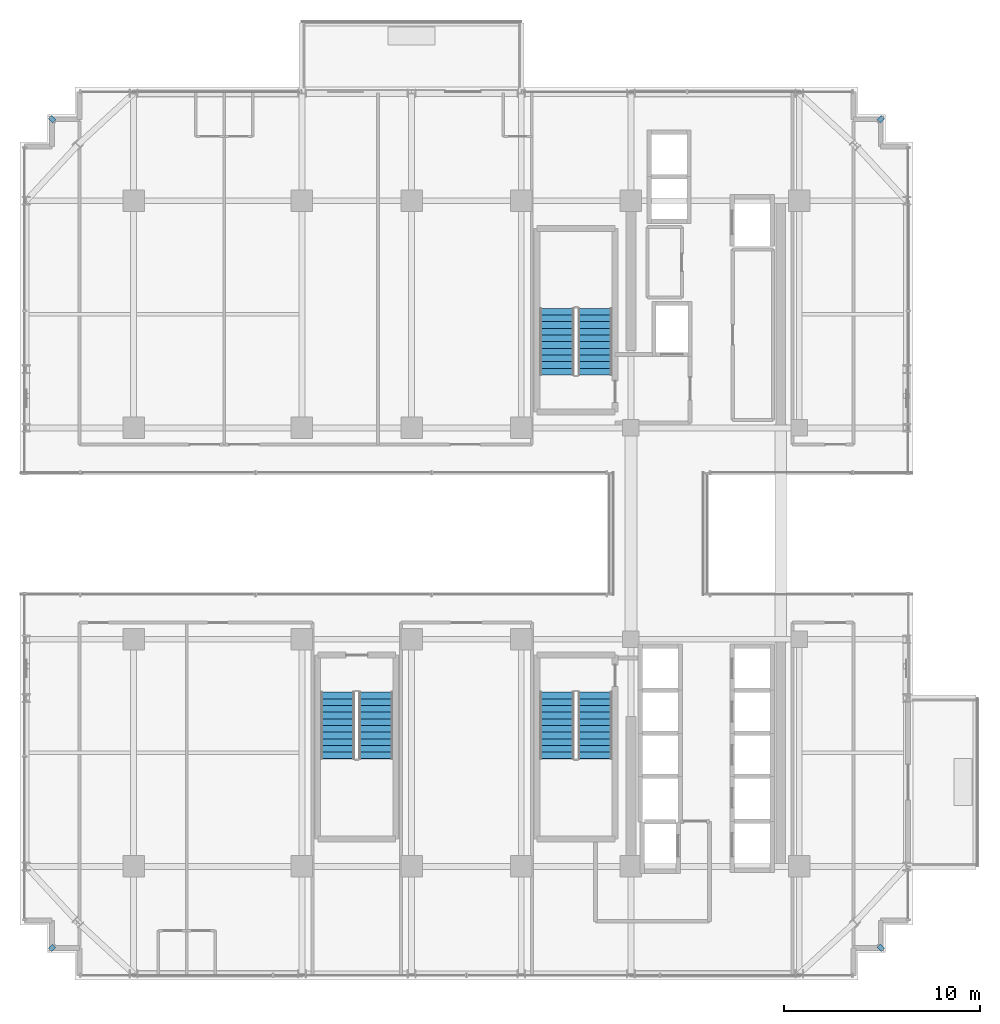
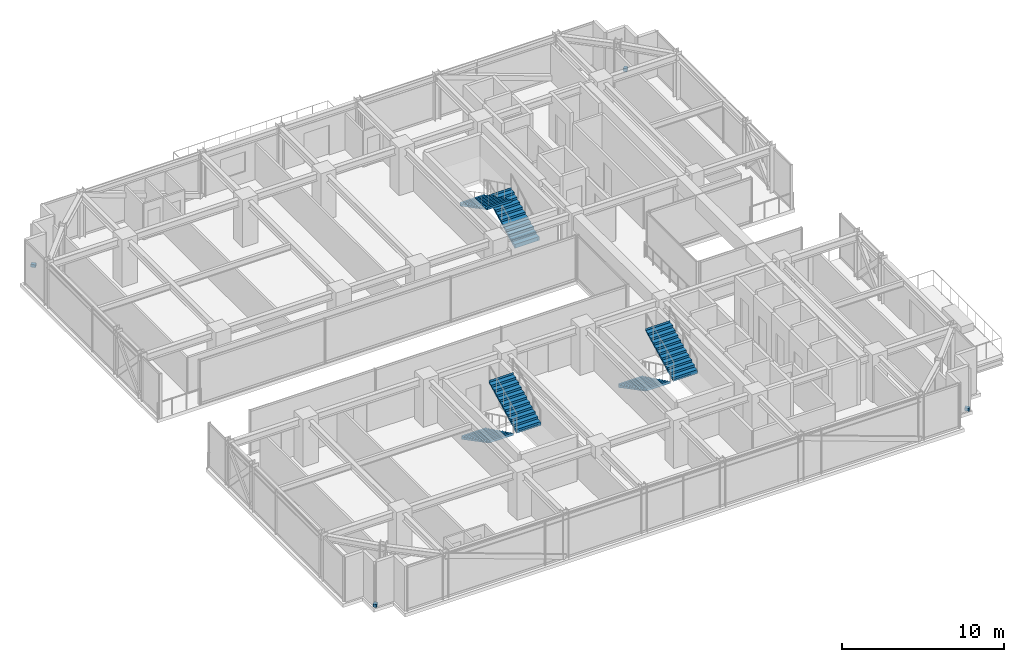
# One storey, part 37 of 41: 6 stair flights, 4 discrete accessories, 3 elements without a shape of their own.
"""IFC4 building model written with IfcOpenShell, lengths in metres."""

from ifc_helpers import new_model, si_unit, direction, frame, origin, origin_2d, place, context, subcontext, project, spatial, polyline, rectangle, outline, extrude, source, transform, mapped, material, layer, layer_set, type_object, element, aggregate, save


model = new_model("IFC4")

# Units and contexts
model_context = context("Model", 3, precision=1e-05, world=origin(), true_north=direction((0.0, 1.0)))
body_context = subcontext(model_context, "Body", "Model", "MODEL_VIEW")
ifc_project = project(units=[si_unit("LENGTHUNIT", "METRE"), si_unit("AREAUNIT", "SQUARE_METRE"), si_unit("VOLUMEUNIT", "CUBIC_METRE"), si_unit("PLANEANGLEUNIT", "RADIAN"), si_unit("MASSUNIT", "GRAM", prefix="KILO")], contexts=[model_context])

# Site, building, storey
site_placement = place(None, origin())
site = spatial("IfcSite", under=ifc_project, at=site_placement, CompositionType="ELEMENT")
building_placement = place(site_placement, origin())
building = spatial("IfcBuilding", under=site, at=building_placement, Name="Nahalor Promenade Grand Hotel", CompositionType="ELEMENT")
storey_placement = place(building_placement, frame((0.0, 0.0, 159.949951171875)))
storey = spatial("IfcBuildingStorey", under=building, at=storey_placement, Name="L40", CompositionType="ELEMENT", Elevation=159.949951171875)

# Stair, stair flights
ifc_material_1 = material(Name="Concrete B-50 (C40/50)", Category="concrete")
stair_type_1 = type_object("IfcStairType", Name="Stair-ST1", PredefinedType="HALF_TURN_STAIR", material=ifc_material_1)
stair_1_placement = place(storey_placement, origin())
stair_1 = element("IfcStair", 1, at=stair_1_placement, inside=storey, type_object=stair_type_1, Name="L40 ST1", PredefinedType="HALF_TURN_STAIR")
ifc_layer_1 = layer(ifc_material_1, 0.179931640625)
ifc_layer_set_1 = layer_set([ifc_layer_1], Name="Concrete B-50 (C40/50)")
stair_flight_type_1 = type_object("IfcStairFlightType", Name="Flight-ST1", PredefinedType="STRAIGHT", material=ifc_layer_set_1)
shared_shape_1 = source(origin(), body_context, "Body", "SweptSolid", [
    extrude(outline(polyline([(-0.00390625, -0.1201171875), (-0.00390625, 0.0), (0.0, 0.0), (0.0, 0.166015625), (0.340087890625, 0.166015625), (0.340087890625, 0.331787109375), (0.679931640625, 0.331787109375), (0.679931640625, 0.497802734375), (1.02001953125, 0.497802734375), (1.02001953125, 0.66357421875), (1.360107421875, 0.66357421875), (1.360107421875, 0.82958984375), (1.699951171875, 0.82958984375), (1.699951171875, 0.995361328125), (2.0400390625, 0.995361328125), (2.0400390625, 1.161376953125), (2.3798828125, 1.161376953125), (2.3798828125, 1.327392578125), (2.719970703125, 1.327392578125), (2.719970703125, 1.4931640625), (3.06005859375, 1.4931640625), (3.06005859375, 1.6591796875), (3.39990234375, 1.6591796875), (3.39990234375, 1.824951171875), (3.404052734375, 1.824951171875), (3.404052734375, 1.64501953125), (0.02001953125, -0.1201171875), (-0.00390625, -0.1201171875)])), frame((0.0, 0.875, 0.0), z_axis=(0.0, -1.0, 0.0), x_axis=(1.0, 0.0, 0.0)), (0.0, 0.0, 1.0), 1.75),
])
stair_flight_1_placement = place(storey_placement, frame((6.574951171875, 8.10009765625, 0.0), z_axis=(0.0, 0.0, 1.0), x_axis=(0.0, 1.0, 0.0)))
stair_flight_1 = element("IfcStairFlight", 2, at=stair_flight_1_placement, type_object=stair_flight_type_1, Name="ST1 flight 1", NumberOfRisers=11, NumberOfTreads=10, PredefinedType="STRAIGHT", RiserHeight=0.165909091, TreadLength=0.34, context=body_context, shape_type="MappedRepresentation", body=[
    mapped(shared_shape_1, transform((0.0, 0.0, 0.0), scale=1.0)),
])
stair_flight_2_placement = place(storey_placement, frame((4.625, 11.5, 1.824951171875), z_axis=(0.0, 0.0, 1.0), x_axis=(0.0, -1.0, 0.0)))
stair_flight_2 = element("IfcStairFlight", 3, at=stair_flight_2_placement, type_object=stair_flight_type_1, Name="ST1 flight 2", NumberOfRisers=11, NumberOfTreads=10, PredefinedType="STRAIGHT", RiserHeight=0.165909091, TreadLength=0.34, context=body_context, shape_type="MappedRepresentation", body=[
    mapped(shared_shape_1, transform((0.0, 0.0, 0.0), scale=1.0)),
])
aggregate(stair_1, [stair_flight_1, stair_flight_2])

stair_type_2 = type_object("IfcStairType", Name="Stair-ST2", PredefinedType="HALF_TURN_STAIR", material=ifc_material_1)
stair_2_placement = place(storey_placement, origin())
stair_2 = element("IfcStair", 4, at=stair_2_placement, inside=storey, type_object=stair_type_2, Name="L40 ST2", PredefinedType="HALF_TURN_STAIR")
ifc_layer_2 = layer(ifc_material_1, 0.18994140625)
ifc_layer_set_2 = layer_set([ifc_layer_2], Name="Concrete B-50 (C40/50)")
stair_flight_type_2 = type_object("IfcStairFlightType", Name="Flight-ST2", PredefinedType="STRAIGHT", material=ifc_layer_set_2)
shared_shape_2 = source(origin(), body_context, "Body", "SweptSolid", [
    extrude(outline(polyline([(-0.00390625, -0.1201171875), (-0.00390625, 0.0), (0.0, 0.0), (0.0, 0.166015625), (0.340087890625, 0.166015625), (0.340087890625, 0.331787109375), (0.679931640625, 0.331787109375), (0.679931640625, 0.497802734375), (1.02001953125, 0.497802734375), (1.02001953125, 0.66357421875), (1.360107421875, 0.66357421875), (1.360107421875, 0.82958984375), (1.699951171875, 0.82958984375), (1.699951171875, 0.995361328125), (2.0400390625, 0.995361328125), (2.0400390625, 1.161376953125), (2.3798828125, 1.161376953125), (2.3798828125, 1.327392578125), (2.719970703125, 1.327392578125), (2.719970703125, 1.4931640625), (3.06005859375, 1.4931640625), (3.06005859375, 1.6591796875), (3.39990234375, 1.6591796875), (3.39990234375, 1.824951171875), (3.404052734375, 1.824951171875), (3.404052734375, 1.64501953125), (0.02001953125, -0.1201171875), (-0.00390625, -0.1201171875)])), frame((0.0, 0.875, 0.0), z_axis=(0.0, -1.0, 0.0), x_axis=(1.0, 0.0, 0.0)), (0.0, 0.0, 1.0), 1.75),
])
stair_flight_3_placement = place(storey_placement, frame((4.625, -8.10009765625, 0.0), z_axis=(0.0, 0.0, 1.0), x_axis=(0.0, -1.0, 0.0)))
stair_flight_3 = element("IfcStairFlight", 5, at=stair_flight_3_placement, type_object=stair_flight_type_2, Name="ST2 flight 1", NumberOfRisers=11, NumberOfTreads=10, PredefinedType="STRAIGHT", RiserHeight=0.165909091, TreadLength=0.34, context=body_context, shape_type="MappedRepresentation", body=[
    mapped(shared_shape_2, transform((0.0, 0.0, 0.0), scale=1.0)),
])
stair_flight_4_placement = place(storey_placement, frame((6.574951171875, -11.5, 1.824951171875), z_axis=(0.0, 0.0, 1.0), x_axis=(0.0, 1.0, 0.0)))
stair_flight_4 = element("IfcStairFlight", 6, at=stair_flight_4_placement, type_object=stair_flight_type_2, Name="ST2 flight 2", NumberOfRisers=11, NumberOfTreads=10, PredefinedType="STRAIGHT", RiserHeight=0.165909091, TreadLength=0.34, context=body_context, shape_type="MappedRepresentation", body=[
    mapped(shared_shape_2, transform((0.0, 0.0, 0.0), scale=1.0)),
])
aggregate(stair_2, [stair_flight_3, stair_flight_4])

stair_type_3 = type_object("IfcStairType", Name="Stair-ST3", PredefinedType="HALF_TURN_STAIR", material=ifc_material_1)
stair_3_placement = place(storey_placement, origin())
stair_3 = element("IfcStair", 7, at=stair_3_placement, inside=storey, type_object=stair_type_3, Name="L40 ST3", PredefinedType="HALF_TURN_STAIR")
ifc_layer_3 = layer(ifc_material_1, 0.199951171875)
ifc_layer_set_3 = layer_set([ifc_layer_3], Name="Concrete B-50 (C40/50)")
stair_flight_type_3 = type_object("IfcStairFlightType", Name="Flight-ST3", PredefinedType="STRAIGHT", material=ifc_layer_set_3)
shared_shape_3 = source(origin(), body_context, "Body", "SweptSolid", [
    extrude(outline(polyline([(-0.00390625, -0.1201171875), (-0.00390625, 0.0), (0.0, 0.0), (0.0, 0.166015625), (0.340087890625, 0.166015625), (0.340087890625, 0.331787109375), (0.679931640625, 0.331787109375), (0.679931640625, 0.497802734375), (1.02001953125, 0.497802734375), (1.02001953125, 0.66357421875), (1.360107421875, 0.66357421875), (1.360107421875, 0.82958984375), (1.699951171875, 0.82958984375), (1.699951171875, 0.995361328125), (2.0400390625, 0.995361328125), (2.0400390625, 1.161376953125), (2.3798828125, 1.161376953125), (2.3798828125, 1.327392578125), (2.719970703125, 1.327392578125), (2.719970703125, 1.4931640625), (3.06005859375, 1.4931640625), (3.06005859375, 1.6591796875), (3.39990234375, 1.6591796875), (3.39990234375, 1.824951171875), (3.404052734375, 1.824951171875), (3.404052734375, 1.64501953125), (0.02001953125, -0.1201171875), (-0.00390625, -0.1201171875)])), frame((0.0, 0.875, 0.0), z_axis=(0.0, -1.0, 0.0), x_axis=(1.0, 0.0, 0.0)), (0.0, 0.0, 1.0), 1.75),
])
stair_flight_5_placement = place(storey_placement, frame((-6.574951171875, -8.10009765625, 0.0), z_axis=(0.0, 0.0, 1.0), x_axis=(0.0, -1.0, 0.0)))
stair_flight_5 = element("IfcStairFlight", 8, at=stair_flight_5_placement, type_object=stair_flight_type_3, Name="ST3 flight 1", NumberOfRisers=11, NumberOfTreads=10, PredefinedType="STRAIGHT", RiserHeight=0.165909091, TreadLength=0.34, context=body_context, shape_type="MappedRepresentation", body=[
    mapped(shared_shape_3, transform((0.0, 0.0, 0.0), scale=1.0)),
])
stair_flight_6_placement = place(storey_placement, frame((-4.625, -11.5, 1.824951171875), z_axis=(0.0, 0.0, 1.0), x_axis=(0.0, 1.0, 0.0)))
stair_flight_6 = element("IfcStairFlight", 9, at=stair_flight_6_placement, type_object=stair_flight_type_3, Name="ST3 flight 2", NumberOfRisers=11, NumberOfTreads=10, PredefinedType="STRAIGHT", RiserHeight=0.165909091, TreadLength=0.34, context=body_context, shape_type="MappedRepresentation", body=[
    mapped(shared_shape_3, transform((0.0, 0.0, 0.0), scale=1.0)),
])
aggregate(stair_3, [stair_flight_5, stair_flight_6])

# Discrete accessories
ifc_material_2 = material(Name="Steel S355JR", Category="steel")
discrete_accessory_type = type_object("IfcDiscreteAccessoryType", Name="Bracket-FacadeCleat-Bronze", PredefinedType="BRACKET", material=ifc_material_2)
shared_shape_4 = source(origin(), body_context, "Body", "SweptSolid", [
    extrude(rectangle(XDim=0.300048828125, YDim=0.239990234375, at=origin_2d()), origin(), (0.0, 0.0, 1.0), 0.219970703125),
])
for number, where, z_axis, x_axis, name in (
    (10, (-21.159912109375, -21.159912109375, 0.0), (0.0, 0.0, 1.0), (0.707106781187, 0.707106781187, 0.0), "BK-L40-SW"),
    (11, (21.159912109375, -21.159912109375, 0.0), (0.0, 0.0, 1.0), (-0.707106781187, 0.707106781187, 0.0), "BK-L40-SE"),
    (12, (21.159912109375, 21.159912109375, 0.0), (0.0, 0.0, 1.0), (0.707106781187, 0.707106781187, 0.0), "BK-L40-NE"),
    (13, (-21.159912109375, 21.159912109375, 0.0), (0.0, 0.0, 1.0), (-0.707106781187, 0.707106781187, 0.0), "BK-L40-NW"),
):
    element("IfcDiscreteAccessory", number, at=place(storey_placement, frame(where, z_axis=z_axis, x_axis=x_axis)), inside=storey, type_object=discrete_accessory_type, Name=name, PredefinedType="BRACKET", context=body_context, shape_type="MappedRepresentation", body=[
        mapped(shared_shape_4, transform((0.0, 0.0, 0.0), scale=1.0)),
    ])

save(model, "model.ifc")
